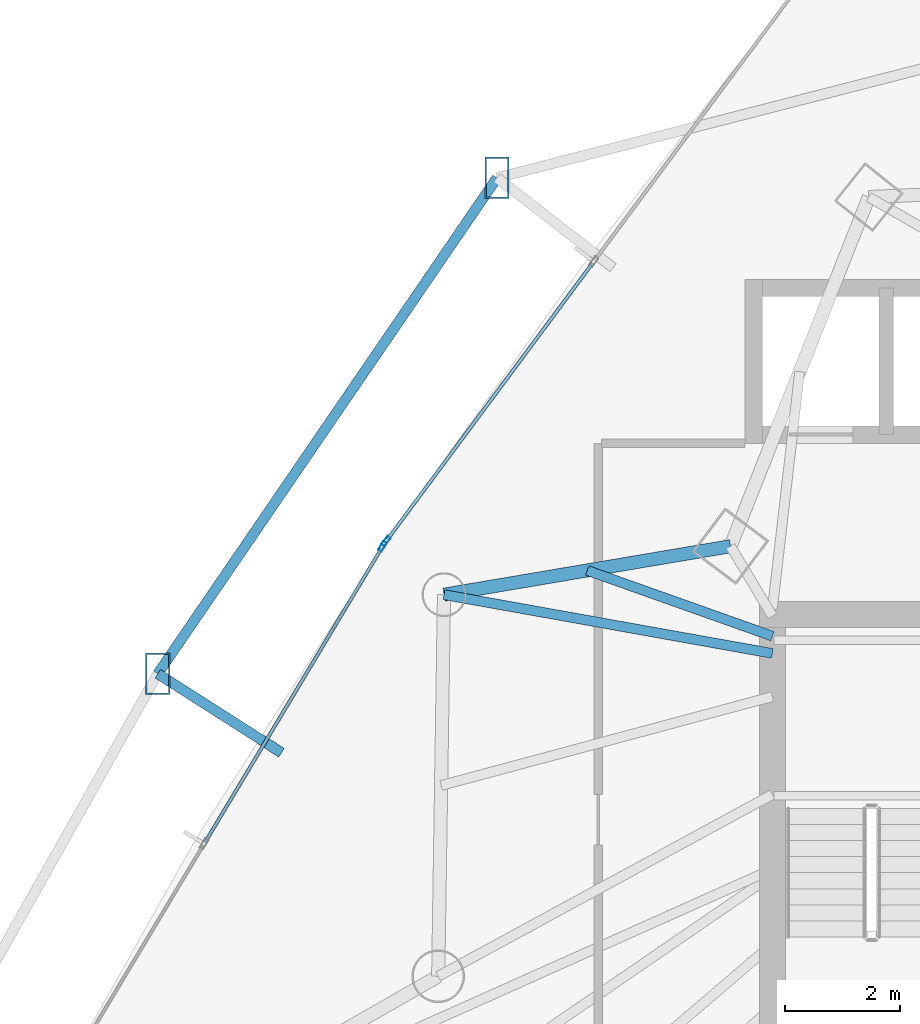
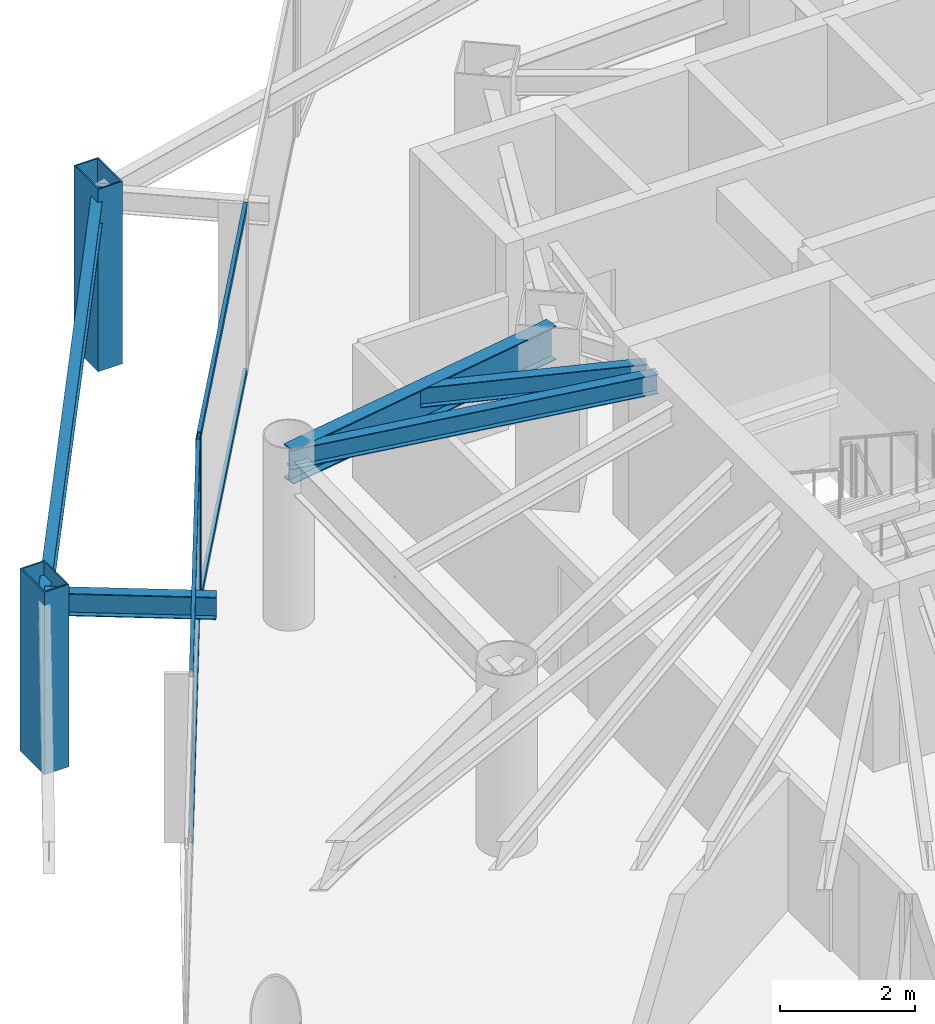
# One storey, part 20 of 33: 8 members, 5 beams, 2 elements without a shape of their own.
"""IFC4 building model written with IfcOpenShell, lengths in metres."""

from ifc_helpers import new_model, si_unit, direction, frame, origin, origin_2d, place, context, subcontext, project, spatial, hollow_rectangle, i_section, extrude, material, layer, layer_set, material_profile, profile_set, type_object, element, aggregate, save


model = new_model("IFC4")

# Units and contexts
model_context = context("Model", 3, precision=1e-05, world=origin(), true_north=direction((0.0, 1.0)))
body_context = subcontext(model_context, "Body", "Model", "MODEL_VIEW")
ifc_project = project(units=[si_unit("LENGTHUNIT", "METRE"), si_unit("AREAUNIT", "SQUARE_METRE"), si_unit("VOLUMEUNIT", "CUBIC_METRE"), si_unit("PLANEANGLEUNIT", "RADIAN"), si_unit("MASSUNIT", "GRAM", prefix="KILO")], contexts=[model_context])

# Site, building, storey
site_placement = place(None, origin())
site = spatial("IfcSite", under=ifc_project, at=site_placement, CompositionType="ELEMENT")
building_placement = place(site_placement, origin())
building = spatial("IfcBuilding", under=site, at=building_placement, Name="Orvanel Arch Residences", CompositionType="ELEMENT")
storey_placement = place(building_placement, frame((0.0, 0.0, 84.050048828125)))
storey = spatial("IfcBuildingStorey", under=building, at=storey_placement, Name="L23", CompositionType="ELEMENT", Elevation=84.050048828125)

# Beams
ifc_material_1 = material(Name="Structural steel AS/NZS 3679.1 Grade 300 (300 MPa)", Category="steel")
ifc_material_profile_1 = material_profile(ifc_material_1, i_section(OverallWidth=0.1708984375, OverallDepth=0.35595703125, WebThickness=0.00732421875, FlangeThickness=0.011474609375, at=origin_2d()), Name="360UB50.7")
ifc_profile_set_1 = profile_set([ifc_material_profile_1], Name="Structural steel AS/NZS 3679.1 Grade 300 (300 MPa)")
beam_type_1 = type_object("IfcBeamType", Name="BJ-360UB", PredefinedType="JOIST", material=ifc_profile_set_1)
beam_1_placement = place(storey_placement, frame((26.375, 33.25, 2.8818359375), z_axis=(-0.984360855662, 0.176163860766, 0.0), x_axis=(-0.176163860766, -0.984360855662, 0.0)))
element("IfcBeam", 1, at=beam_1_placement, inside=storey, type_object=beam_type_1, Name="L23 LW Wing Floor Joist", PredefinedType="JOIST", context=body_context, shape_type="SweptSolid", body=[
    extrude(i_section(OverallWidth=0.1708984375, OverallDepth=0.35595703125, WebThickness=0.00732421875, FlangeThickness=0.011474609375, at=origin_2d()), origin(), (0.0, 0.0, 1.0), 5.795654296875),
])
beam_2_placement = place(storey_placement, frame((26.375, 33.550048828125, 2.8818359375), z_axis=(-0.942366638377, 0.334582006201, 0.0), x_axis=(-0.334582006201, -0.942366638377, 0.0)))
element("IfcBeam", 2, at=beam_2_placement, inside=storey, type_object=beam_type_1, Name="L23 JADD3 Wing Floor Joist", PredefinedType="JOIST", context=body_context, shape_type="SweptSolid", body=[
    extrude(i_section(OverallWidth=0.1708984375, OverallDepth=0.35595703125, WebThickness=0.00732421875, FlangeThickness=0.011474609375, at=origin_2d()), origin(), (0.0, 0.0, 1.0), 3.412841796875),
])

# Members
ifc_material_2 = material(Name="Structural steel AS/NZS 3678 Grade 350", Category="steel")
ifc_material_profile_2 = material_profile(ifc_material_2, hollow_rectangle(XDim=0.419921875, YDim=0.719970703125, WallThickness=0.02490234375, at=origin_2d()), Name="RHS720x420x25")
ifc_profile_set_2 = profile_set([ifc_material_profile_2], Name="Structural steel AS/NZS 3678 Grade 350")
member_type_1 = type_object("IfcMemberType", Name="CH-720RHS-EXT", PredefinedType="CHORD", material=ifc_profile_set_2)
for number, where, z_axis, x_axis, name in (
    (3, (21.591064453125, 41.511962890625, 0.0), (0.0, 0.0, 1.0), (1.0, 0.0, 0.0), "L23 Outer Perimeter Frame Post 01"),
    (4, (15.697021484375, 32.89697265625, 0.0), (0.0, 0.0, 1.0), (1.0, 0.0, 0.0), "L23 Outer Perimeter Frame Post 02"),
):
    element("IfcMember", number, at=place(storey_placement, frame(where, z_axis=z_axis, x_axis=x_axis)), inside=storey, type_object=member_type_1, Name=name, PredefinedType="CHORD", context=body_context, shape_type="SweptSolid", body=[
        extrude(hollow_rectangle(XDim=0.419921875, YDim=0.719970703125, WallThickness=0.02490234375, at=origin_2d()), origin(), (0.0, 0.0, 1.0), 3.300048828125),
    ])

# Curtain wall, member
ifc_material_3 = material(Name="Bronze-anodised aluminium AA6063-T6", Category="aluminium")
ifc_layer = layer(ifc_material_3, 0.179931640625)
ifc_layer_set = layer_set([ifc_layer], Name="Bronze-anodised aluminium AA6063-T6")
curtain_wall_type = type_object("IfcCurtainWallType", Name="CW2-LOW-SYS", PredefinedType="NOTDEFINED", material=ifc_layer_set)
curtain_wall_1_placement = place(storey_placement, origin())
curtain_wall_1 = element("IfcCurtainWall", 5, at=curtain_wall_1_placement, inside=storey, type_object=curtain_wall_type, Name="L23 CW2-LOW-SYS Unitised Curtain Wall", PredefinedType="NOTDEFINED")
ifc_material_profile_3 = material_profile(ifc_material_3, hollow_rectangle(XDim=0.070068359375, YDim=0.179931640625, WallThickness=0.00439453125, at=origin_2d()), Name="ALU180x70x4.5")
ifc_profile_set_3 = profile_set([ifc_material_profile_3], Name="Bronze-anodised aluminium AA6063-T6")
member_type_2 = type_object("IfcMemberType", Name="MUL-180x70", PredefinedType="MULLION", material=ifc_profile_set_3)
member_1_placement = place(storey_placement, frame((19.662841796875, 35.198974609375, 0.0), z_axis=(0.0, 0.0, 1.0), x_axis=(0.80276182632, -0.59629979893, 0.0)))
member_1 = element("IfcMember", 6, at=member_1_placement, type_object=member_type_2, Name="CW-S2 mullion 3", PredefinedType="MULLION", context=body_context, shape_type="SweptSolid", body=[
    extrude(hollow_rectangle(XDim=0.070068359375, YDim=0.179931640625, WallThickness=0.00439453125, at=origin_2d()), origin(), (0.0, 0.0, 1.0), 3.06005859375),
])

curtain_wall_2_placement = place(storey_placement, origin())
curtain_wall_2 = element("IfcCurtainWall", 7, at=curtain_wall_2_placement, inside=storey, type_object=curtain_wall_type, Name="L23 CW2-LOW-SYS Unitised Curtain Wall", PredefinedType="NOTDEFINED")
member_2_placement = place(storey_placement, frame((19.60205078125, 35.10791015625, 0.0), z_axis=(0.0, 0.0, 1.0), x_axis=(0.857536630134, -0.514422907712, 0.0)))
member_2 = element("IfcMember", 8, at=member_2_placement, type_object=member_type_2, Name="CW-S2 mullion 1", PredefinedType="MULLION", context=body_context, shape_type="SweptSolid", body=[
    extrude(hollow_rectangle(XDim=0.070068359375, YDim=0.179931640625, WallThickness=0.00439453125, at=origin_2d()), origin(), (0.0, 0.0, 1.0), 3.06005859375),
])

# Beams
ifc_material_profile_4 = material_profile(ifc_material_1, i_section(OverallWidth=0.177978515625, OverallDepth=0.406005859375, WebThickness=0.0078125, FlangeThickness=0.0126953125, at=origin_2d()), Name="410UB59.7")
ifc_profile_set_4 = profile_set([ifc_material_profile_4], Name="Structural steel AS/NZS 3679.1 Grade 300 (300 MPa)")
beam_type_2 = type_object("IfcBeamType", Name="OB-410UB-EXT", PredefinedType="SPANDREL", material=ifc_profile_set_4)
beam_3_placement = place(storey_placement, frame((21.591064453125, 41.511962890625, 2.85693359375), z_axis=(-0.564656245695, -0.825326192604, 0.0), x_axis=(0.825326192604, -0.564656245695, 0.0)))
element("IfcBeam", 9, at=beam_3_placement, inside=storey, type_object=beam_type_2, Name="L23 Outer Perimeter Floor Ring Beam 01", PredefinedType="SPANDREL", context=body_context, shape_type="SweptSolid", body=[
    extrude(i_section(OverallWidth=0.177978515625, OverallDepth=0.406005859375, WebThickness=0.0078125, FlangeThickness=0.0126953125, at=origin_2d()), origin(), (0.0, 0.0, 1.0), 10.438232421875),
])
beam_4_placement = place(storey_placement, frame((17.845947265625, 31.52490234375, 2.85693359375), z_axis=(-0.842848282201, 0.538151254938, 0.0), x_axis=(-0.538151254938, -0.842848282201, 0.0)))
element("IfcBeam", 10, at=beam_4_placement, inside=storey, type_object=beam_type_2, Name="L23 Outer Frame Radial Tie Beam 02", PredefinedType="SPANDREL", context=body_context, shape_type="SweptSolid", body=[
    extrude(i_section(OverallWidth=0.177978515625, OverallDepth=0.406005859375, WebThickness=0.0078125, FlangeThickness=0.0126953125, at=origin_2d()), origin(), (0.0, 0.0, 1.0), 2.549560546875),
])
ifc_material_profile_5 = material_profile(ifc_material_1, i_section(OverallWidth=0.22900390625, OverallDepth=0.612060546875, WebThickness=0.011962890625, FlangeThickness=0.01953125, at=origin_2d()), Name="610UB125")
ifc_profile_set_5 = profile_set([ifc_material_profile_5], Name="Structural steel AS/NZS 3679.1 Grade 300 (300 MPa)")
beam_type_3 = type_object("IfcBeamType", Name="SP-610UB", PredefinedType="SPANDREL", material=ifc_profile_set_5)
beam_5_placement = place(storey_placement, frame((25.64794921875, 35.113037109375, 2.75390625), z_axis=(-0.985993733897, -0.166782363326, 0.0), x_axis=(0.166782363326, -0.985993733897, 0.0)))
element("IfcBeam", 11, at=beam_5_placement, inside=storey, type_object=beam_type_3, Name="L23 Perimeter Spandrel Beam 19", PredefinedType="SPANDREL", context=body_context, shape_type="SweptSolid", body=[
    extrude(i_section(OverallWidth=0.22900390625, OverallDepth=0.612060546875, WebThickness=0.011962890625, FlangeThickness=0.01953125, at=origin_2d()), origin(), (0.0, 0.0, 1.0), 5.048828125),
])

# Member
ifc_material_profile_6 = material_profile(ifc_material_3, hollow_rectangle(XDim=0.06005859375, YDim=0.135009765625, WallThickness=0.00390625, at=origin_2d()), Name="ALU135x60x4")
ifc_profile_set_6 = profile_set([ifc_material_profile_6], Name="Bronze-anodised aluminium AA6063-T6")
member_type_3 = type_object("IfcMemberType", Name="TRN-135x60", PredefinedType="USERDEFINED", material=ifc_profile_set_6)
member_3_placement = place(storey_placement, frame((23.250244140625, 40.0283203125, 0.030029296875), z_axis=(-0.596316485567, -0.802749431043, 0.0), x_axis=(0.802749431043, -0.596316485567, 0.0)))
member_3 = element("IfcMember", 12, at=member_3_placement, type_object=member_type_3, Name="CW-S2 transom 2.1", ObjectType="TRANSOM", PredefinedType="USERDEFINED", context=body_context, shape_type="SweptSolid", body=[
    extrude(hollow_rectangle(XDim=0.06005859375, YDim=0.135009765625, WallThickness=0.00390625, at=origin_2d()), origin(), (0.0, 0.0, 1.0), 5.980712890625),
])

member_4_placement = place(storey_placement, frame((23.250244140625, 40.0283203125, 3.030029296875), z_axis=(-0.596316485567, -0.802749431043, 0.0), x_axis=(0.802749431043, -0.596316485567, 0.0)))
member_4 = element("IfcMember", 13, at=member_4_placement, type_object=member_type_3, Name="CW-S2 transom 2.2", ObjectType="TRANSOM", PredefinedType="USERDEFINED", context=body_context, shape_type="SweptSolid", body=[
    extrude(hollow_rectangle(XDim=0.06005859375, YDim=0.135009765625, WallThickness=0.00390625, at=origin_2d()), origin(), (0.0, 0.0, 1.0), 5.980712890625),
])

aggregate(curtain_wall_1, [member_1, member_3, member_4])

member_5_placement = place(storey_placement, frame((19.583984375, 35.077880859375, 0.030029296875), z_axis=(-0.514441457873, -0.857525501907, 0.0), x_axis=(0.857525501907, -0.514441457873, 0.0)))
member_5 = element("IfcMember", 14, at=member_5_placement, type_object=member_type_3, Name="CW-S2 transom 1.1", ObjectType="TRANSOM", PredefinedType="USERDEFINED", context=body_context, shape_type="SweptSolid", body=[
    extrude(hollow_rectangle(XDim=0.06005859375, YDim=0.135009765625, WallThickness=0.00390625, at=origin_2d()), origin(), (0.0, 0.0, 1.0), 5.951171875),
])

member_6_placement = place(storey_placement, frame((19.583984375, 35.077880859375, 3.030029296875), z_axis=(-0.514441457873, -0.857525501907, 0.0), x_axis=(0.857525501907, -0.514441457873, 0.0)))
member_6 = element("IfcMember", 15, at=member_6_placement, type_object=member_type_3, Name="CW-S2 transom 1.2", ObjectType="TRANSOM", PredefinedType="USERDEFINED", context=body_context, shape_type="SweptSolid", body=[
    extrude(hollow_rectangle(XDim=0.06005859375, YDim=0.135009765625, WallThickness=0.00390625, at=origin_2d()), origin(), (0.0, 0.0, 1.0), 5.951171875),
])

aggregate(curtain_wall_2, [member_2, member_5, member_6])

save(model, "model.ifc")
